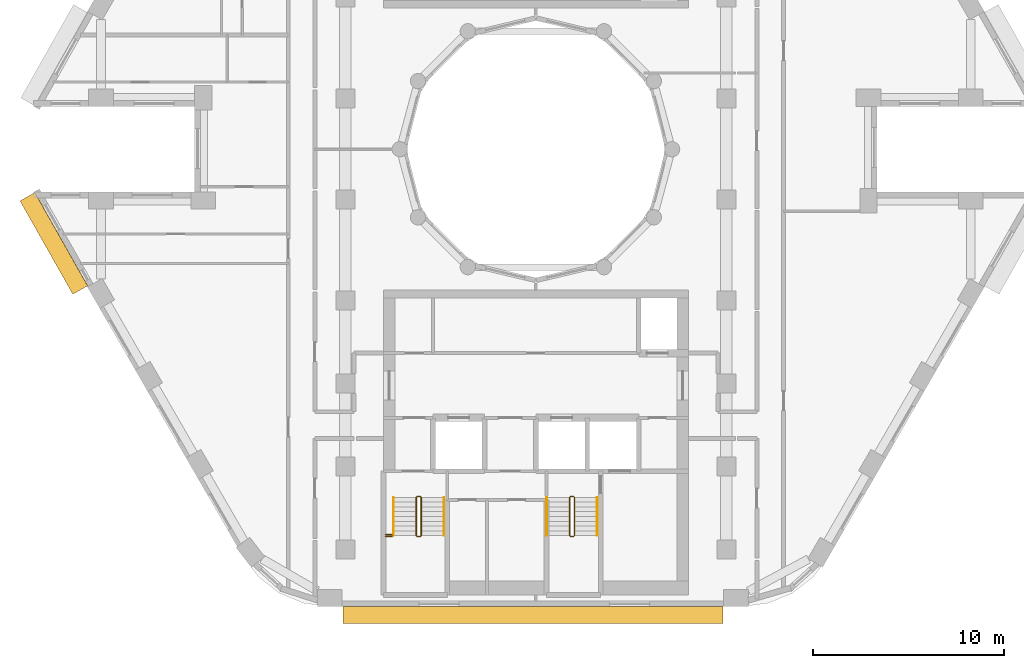
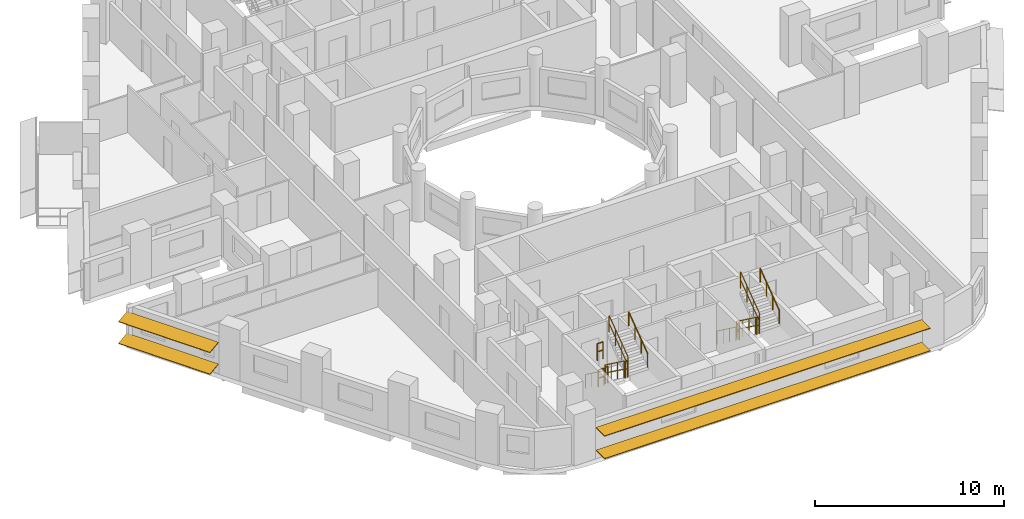
# One storey, part 11 of 13: 14 railings, 4 shading devices.
"""IFC4 building model written with IfcOpenShell, lengths in metres."""

import ifcopenshell
import ifcopenshell.guid

model = None  # the IFC model being written
_history = None  # IfcOwnerHistory: only IFC2X3 demands one
_inside = {}  # id of a spatial element -> (the spatial element, [elements in it])
_under = {}  # id of a project, library or spatial element -> (it, [spatial elements below it])
_declared = {}  # id of a project -> (the project, [libraries it declares])
_typed = {}  # id of a type object -> (the type object, [elements of that type])
_made_of = {}  # id of a material, layer set ... -> (it, [elements and type objects made of it])


def new_model(schema):
    """Start an empty IFC model of exactly this schema.

    Asked for "IFC4X3", IfcOpenShell would pick the latest addendum, in which some entities
    have other attributes; the version numbers below select the first issue.
    IFC2X3 requires an IfcOwnerHistory on every rooted entity: one is made here for all.
    """
    global model, _history
    if schema == "IFC4X3":
        model = ifcopenshell.file(schema_version=(4, 3, 0, 0))
    else:
        model = ifcopenshell.file(schema=schema)
    _inside.clear()
    _under.clear()
    _declared.clear()
    _typed.clear()
    _made_of.clear()
    _history = None
    if model.schema == "IFC2X3":
        org = make("IfcOrganization", Name="unknown")
        user = make(
            "IfcPersonAndOrganization",
            ThePerson=make("IfcPerson", FamilyName="unknown"),
            TheOrganization=org,
        )
        app = make(
            "IfcApplication",
            ApplicationDeveloper=org,
            Version="unknown",
            ApplicationFullName="unknown",
            ApplicationIdentifier="unknown",
        )
        _history = make(
            "IfcOwnerHistory",
            OwningUser=user,
            OwningApplication=app,
            ChangeAction="ADDED",
            CreationDate=0,
        )
    return model


def make(cls, **values):
    """One entity of the class cls with the attributes given. An attribute that is None is left unset."""
    return model.create_entity(
        cls, **{name: value for name, value in values.items() if value is not None}
    )


def rooted(cls, **values):
    """An entity with a GlobalId (a new one), such as an element, a storey or a relation."""
    return make(cls, GlobalId=ifcopenshell.guid.new(), OwnerHistory=_history, **values)


def si_unit(unit_type, name, prefix=None):
    """IfcSIUnit, for example si_unit("LENGTHUNIT", "METRE", prefix="MILLI")."""
    return make("IfcSIUnit", UnitType=unit_type, Prefix=prefix, Name=name)


def assignment(units):
    """IfcUnitAssignment: the units of a project."""
    return None if units is None else make("IfcUnitAssignment", Units=units)


def point(xyz):
    """IfcCartesianPoint."""
    return None if xyz is None else make("IfcCartesianPoint", Coordinates=xyz)


def direction(xyz):
    """IfcDirection."""
    return None if xyz is None else make("IfcDirection", DirectionRatios=xyz)


def frame(location, z_axis=None, x_axis=None):
    """IfcAxis2Placement3D, a coordinate frame: its origin and axes. An axis left out is left unset."""
    return make(
        "IfcAxis2Placement3D",
        Location=point(location),
        Axis=direction(z_axis),
        RefDirection=direction(x_axis),
    )


def frame_2d(location, x_axis=None):
    """IfcAxis2Placement2D, a coordinate frame in the plane: its origin and x axis."""
    return make(
        "IfcAxis2Placement2D", Location=point(location), RefDirection=direction(x_axis)
    )


def origin():
    """The frame at (0, 0, 0) with its axes left unset."""
    return frame((0.0, 0.0, 0.0))


def origin_2d():
    """The frame at (0, 0) in the plane with its x axis left unset."""
    return frame_2d((0.0, 0.0))


def place(relative_to, where):
    """IfcLocalPlacement: puts the frame where relative to a parent placement (None: the world)."""
    return make(
        "IfcLocalPlacement", PlacementRelTo=relative_to, RelativePlacement=where
    )


def context(
    kind, dimensions, precision=None, world=None, true_north=None, identifier=None
):
    """IfcGeometricRepresentationContext, for example the 3D "Model" context."""
    return make(
        "IfcGeometricRepresentationContext",
        ContextIdentifier=identifier,
        ContextType=kind,
        CoordinateSpaceDimension=dimensions,
        Precision=precision,
        WorldCoordinateSystem=world,
        TrueNorth=true_north,
    )


def subcontext(parent, identifier, kind, view, scale=None):
    """IfcGeometricRepresentationSubContext, for example "Body" below "Model"."""
    return make(
        "IfcGeometricRepresentationSubContext",
        ContextIdentifier=identifier,
        ContextType=kind,
        ParentContext=parent,
        TargetScale=scale,
        TargetView=view,
    )


def project(units=None, contexts=None):
    """IfcProject with its units and contexts."""
    return rooted(
        "IfcProject",
        Name="project",
        RepresentationContexts=contexts,
        UnitsInContext=assignment(units),
    )


def spatial(cls, under=None, at=None, **own):
    """A site, building, storey or space (cls), placed at a placement, below another one or the project."""
    s = rooted(cls, ObjectPlacement=at, **own)
    if under is not None:
        _under.setdefault(under.id(), (under, []))[1].append(s)
    return s


def profile(cls, at=None, kind="AREA", **sizes):
    """A parametric profile (cls). Its sizes go by their IFC names, for example OverallWidth=200.0."""
    return make(cls, ProfileType=kind, Position=at, **sizes)


def rectangle(**sizes):
    """IfcRectangleProfileDef."""
    return profile("IfcRectangleProfileDef", **sizes)


def circle(**sizes):
    """IfcCircleProfileDef."""
    return profile("IfcCircleProfileDef", **sizes)


def extrude(swept, where, along, depth):
    """IfcExtrudedAreaSolid: the profile swept, set in the frame where, extruded along a direction by depth."""
    return make(
        "IfcExtrudedAreaSolid",
        SweptArea=swept,
        Position=where,
        ExtrudedDirection=direction(along),
        Depth=depth,
    )


def shape(context_of_items, identifier, shape_type, items):
    """IfcShapeRepresentation: the items that make up one representation, for example the "Body"."""
    return make(
        "IfcShapeRepresentation",
        ContextOfItems=context_of_items,
        RepresentationIdentifier=identifier,
        RepresentationType=shape_type,
        Items=items,
    )


def material(Name=None, Category=None):
    """IfcMaterial."""
    return make("IfcMaterial", Name=Name, Category=Category)


def material_profile(
    of_material, cross_section, Name=None, Category=None, Priority=None
):
    """IfcMaterialProfile: a cross section and its material."""
    return make(
        "IfcMaterialProfile",
        Name=Name,
        Material=of_material,
        Profile=cross_section,
        Priority=Priority,
        Category=Category,
    )


def profile_set(profiles, Name=None, composite=None):
    """IfcMaterialProfileSet."""
    return make(
        "IfcMaterialProfileSet",
        Name=Name,
        MaterialProfiles=profiles,
        CompositeProfile=composite,
    )


def made_of(thing, what):
    """Note that an element or type object is made of a material, layer set ...; save() writes the relation."""
    if what is not None:
        _made_of.setdefault(what.id(), (what, []))[1].append(thing)
    return thing


def type_object(cls, material=None, **own):
    """A type object (cls), such as IfcWallType, which elements share."""
    return made_of(rooted(cls, **own), material)


def element(
    cls,
    number,
    at=None,
    inside=None,
    cuts=None,
    type_object=None,
    material=None,
    context=None,
    identifier="Body",
    shape_type=None,
    held_by="IfcProductDefinitionShape",
    body=None,
    shapes=None,
    **own,
):
    """One element of the class cls, such as IfcWall. Its Tag is "e" and its number.

    at: its placement. inside: the storey or other place that contains it. cuts: it is an
    opening in that element (IfcRelVoidsElement). A single representation is given by context,
    identifier, shape_type and body (its items); several are given by shapes. held_by: the class
    of the entity that holds the representations. save() writes the other relations.
    """
    e = rooted(cls, Tag="e%d" % number, ObjectPlacement=at, **own)
    if body is not None:
        shapes = [shape(context, identifier, shape_type, body)]
    if shapes is not None:
        e.Representation = make(held_by, Representations=shapes)
    if inside is not None:
        _inside.setdefault(inside.id(), (inside, []))[1].append(e)
    if cuts is not None:
        rooted(
            "IfcRelVoidsElement", RelatingBuildingElement=cuts, RelatedOpeningElement=e
        )
    if type_object is not None:
        _typed.setdefault(type_object.id(), (type_object, []))[1].append(e)
    return made_of(e, material)


def aggregate(whole, parts):
    """IfcRelAggregates: a whole, such as a stair, and the parts it consists of."""
    return rooted("IfcRelAggregates", RelatingObject=whole, RelatedObjects=parts)


def save(model, path):
    """Write the relations noted so far, then the file.

    IfcRelAggregates (storeys below a building ...), IfcRelContainedInSpatialStructure (elements
    in a storey), IfcRelDefinesByType, IfcRelAssociatesMaterial and IfcRelDeclares: one each for
    every whole, place, type object, material and project.
    """
    for whole, parts in _under.values():
        aggregate(whole, parts)
    for where, things in _inside.values():
        rooted(
            "IfcRelContainedInSpatialStructure",
            RelatedElements=things,
            RelatingStructure=where,
        )
    for kind, things in _typed.values():
        rooted("IfcRelDefinesByType", RelatedObjects=things, RelatingType=kind)
    for what, things in _made_of.values():
        rooted("IfcRelAssociatesMaterial", RelatedObjects=things, RelatingMaterial=what)
    for by, libraries in _declared.values():
        rooted("IfcRelDeclares", RelatingContext=by, RelatedDefinitions=libraries)
    model.write(path)


model = new_model("IFC4")

# Units and contexts
model_context = context("Model", 3, precision=1e-05, world=origin(), true_north=direction((0.0, 1.0)))
body_context = subcontext(model_context, "Body", "Model", "MODEL_VIEW")
ifc_project = project(units=[si_unit("LENGTHUNIT", "METRE"), si_unit("AREAUNIT", "SQUARE_METRE"), si_unit("VOLUMEUNIT", "CUBIC_METRE"), si_unit("PLANEANGLEUNIT", "RADIAN"), si_unit("MASSUNIT", "GRAM", prefix="KILO")], contexts=[model_context])

# Site, building, storey
site_placement = place(None, origin())
site = spatial("IfcSite", under=ifc_project, at=site_placement, CompositionType="ELEMENT")
building_placement = place(site_placement, origin())
building = spatial("IfcBuilding", under=site, at=building_placement, Name="Nakaniwa Court", CompositionType="ELEMENT")
storey_placement = place(building_placement, frame((0.0, 0.0, 130.5)))
storey = spatial("IfcBuildingStorey", under=building, at=storey_placement, Name="L33", CompositionType="ELEMENT", Elevation=130.5)

# Shading devices
ifc_material_1 = material(Name="Perforated charcoal ceramic louvre blade")
ifc_material_profile = material_profile(ifc_material_1, rectangle(XDim=0.89990234375, YDim=0.050048828125, at=origin_2d()), Name="Perforated ceramic louvre blade")
ifc_profile_set = profile_set([ifc_material_profile], Name="Perforated charcoal ceramic louvre blade")
shading_device_type = type_object("IfcShadingDeviceType", Name="Perforated ceramic louvre blade", PredefinedType="JALOUSIE", material=ifc_profile_set)
for number, where, z_axis, x_axis, name in (
    (1, (53.31689453125, 77.5078125, 0.550048828125), (0.49253187421, -0.870294405869, 0.0), (0.862649339692, 0.488205247786, 0.132256390257), "L33 perforated ceramic louvre blade w20 1"),
    (2, (53.31689453125, 77.5078125, 1.955810546875), (0.49253187421, -0.870294405869, 0.0), (0.862649339692, 0.488205247786, 0.132256390257), "L33 perforated ceramic louvre blade w20 2"),
):
    element("IfcShadingDevice", number, at=place(storey_placement, frame(where, z_axis=z_axis, x_axis=x_axis)), inside=storey, type_object=shading_device_type, Name=name, PredefinedType="JALOUSIE", context=body_context, shape_type="SweptSolid", body=[
        extrude(rectangle(XDim=0.89990234375, YDim=0.050048828125, at=origin_2d()), origin(), (0.0, 0.0, 1.0), 5.62646484375),
    ])
for number, where, z_axis, x_axis, name in (
    (3, (69.871337890625, 55.550048828125, 0.550048828125), (1.0, 0.0, 0.0), (0.0, 1.0, 0.0), "L33 perforated ceramic louvre blade w26 1"),
    (4, (69.871337890625, 55.550048828125, 2.014892578125), (1.0, 0.0, 0.0), (0.0, 1.0, 0.0), "L33 perforated ceramic louvre blade w26 2"),
):
    element("IfcShadingDevice", number, at=place(storey_placement, frame(where, z_axis=z_axis, x_axis=x_axis)), inside=storey, type_object=shading_device_type, Name=name, PredefinedType="JALOUSIE", context=body_context, shape_type="SweptSolid", body=[
        extrude(rectangle(XDim=0.89990234375, YDim=0.050048828125, at=origin_2d()), origin(), (0.0, 0.0, 1.0), 19.939697265625),
    ])

# Railings
ifc_material_2 = material(Name="Black powder coated steel guard", Category="steel")
railing_type_1 = type_object("IfcRailingType", Name="Stair guard 1100", PredefinedType="GUARDRAIL", material=ifc_material_2)
railing_1_placement = place(storey_placement, frame((73.72509765625, 61.72509765625, 0.183349609375)))
element("IfcRailing", 5, at=railing_1_placement, inside=storey, type_object=railing_type_1, Name="L33 ST3 stair guard 1", PredefinedType="GUARDRAIL", context=body_context, shape_type="SweptSolid", body=[
    extrude(circle(Radius=0.02392578125, at=origin_2d()), frame((0.0, 0.0, 1.076171875), z_axis=(0.0, -0.806426902644, 0.591333789573), x_axis=(1.0, 0.0, 0.0)), (0.0, 0.0, 1.0), 2.47998046875),
    extrude(circle(Radius=0.02392578125, at=origin_2d()), frame((0.0, 0.0, 0.550048828125), z_axis=(0.0, -0.806426902644, 0.591333789573), x_axis=(1.0, 0.0, 0.0)), (0.0, 0.0, 1.0), 2.47998046875),
    extrude(circle(Radius=0.02099609375, at=origin_2d()), origin(), (0.0, 0.0, 1.0), 1.052001953125),
    extrude(circle(Radius=0.02099609375, at=origin_2d()), frame((0.0, -0.666748046875, 0.48876953125)), (0.0, 0.0, 1.0), 1.052001953125),
    extrude(circle(Radius=0.02099609375, at=origin_2d()), frame((0.0, -1.333251953125, 0.977783203125)), (0.0, 0.0, 1.0), 1.052001953125),
    extrude(circle(Radius=0.02099609375, at=origin_2d()), frame((0.0, -2.0, 1.466552734375)), (0.0, 0.0, 1.0), 1.052001953125),
])
railing_2_placement = place(storey_placement, frame((73.77490234375, 59.675048828125, 1.64990234375)))
element("IfcRailing", 6, at=railing_2_placement, inside=storey, type_object=railing_type_1, Name="L33 ST3 stair guard 2", PredefinedType="GUARDRAIL", context=body_context, shape_type="SweptSolid", body=[
    extrude(circle(Radius=0.02392578125, at=origin_2d()), frame((0.0, 0.0, 1.076171875), z_axis=(1.0, 0.0, 0.0), x_axis=(0.0, 1.0, 0.0)), (0.0, 0.0, 1.0), 0.150146484375),
    extrude(circle(Radius=0.02392578125, at=origin_2d()), frame((0.0, 0.0, 0.550048828125), z_axis=(1.0, 0.0, 0.0), x_axis=(0.0, 1.0, 0.0)), (0.0, 0.0, 1.0), 0.150146484375),
    extrude(circle(Radius=0.02099609375, at=origin_2d()), origin(), (0.0, 0.0, 1.0), 1.052001953125),
    extrude(circle(Radius=0.02099609375, at=origin_2d()), frame((0.150146484375, 0.0, 0.0)), (0.0, 0.0, 1.0), 1.052001953125),
])
railing_3_placement = place(storey_placement, frame((73.97509765625, 59.72509765625, 1.833251953125)))
element("IfcRailing", 7, at=railing_3_placement, inside=storey, type_object=railing_type_1, Name="L33 ST3 stair guard 3", PredefinedType="GUARDRAIL", context=body_context, shape_type="SweptSolid", body=[
    extrude(circle(Radius=0.02392578125, at=origin_2d()), frame((0.0, 0.0, 1.076171875), z_axis=(0.0, 0.806379959628, 0.591397802423), x_axis=(-1.0, 0.0, 0.0)), (0.0, 0.0, 1.0), 2.480224609375),
    extrude(circle(Radius=0.02392578125, at=origin_2d()), frame((0.0, 0.0, 0.550048828125), z_axis=(0.0, 0.806379959628, 0.591397802423), x_axis=(-1.0, 0.0, 0.0)), (0.0, 0.0, 1.0), 2.480224609375),
    extrude(circle(Radius=0.02099609375, at=origin_2d()), origin(), (0.0, 0.0, 1.0), 1.052001953125),
    extrude(circle(Radius=0.02099609375, at=origin_2d()), frame((0.0, 0.666748046875, 0.489013671875)), (0.0, 0.0, 1.0), 1.052001953125),
    extrude(circle(Radius=0.02099609375, at=origin_2d()), frame((0.0, 1.333251953125, 0.977783203125)), (0.0, 0.0, 1.0), 1.052001953125),
    extrude(circle(Radius=0.02099609375, at=origin_2d()), frame((0.0, 2.0, 1.466796875)), (0.0, 0.0, 1.0), 1.052001953125),
])
railing_4_placement = place(storey_placement, frame((73.77490234375, 61.77490234375, 0.0)))
element("IfcRailing", 8, at=railing_4_placement, inside=storey, type_object=railing_type_1, Name="L33 ST3 stair guard 4", PredefinedType="GUARDRAIL", context=body_context, shape_type="SweptSolid", body=[
    extrude(circle(Radius=0.02392578125, at=origin_2d()), frame((0.0, 0.0, 1.076171875), z_axis=(1.0, 0.0, 0.0), x_axis=(0.0, 1.0, 0.0)), (0.0, 0.0, 1.0), 0.150146484375),
    extrude(circle(Radius=0.02392578125, at=origin_2d()), frame((0.0, 0.0, 0.550048828125), z_axis=(1.0, 0.0, 0.0), x_axis=(0.0, 1.0, 0.0)), (0.0, 0.0, 1.0), 0.150146484375),
    extrude(circle(Radius=0.02099609375, at=origin_2d()), origin(), (0.0, 0.0, 1.0), 1.052001953125),
    extrude(circle(Radius=0.02099609375, at=origin_2d()), frame((0.150146484375, 0.0, 0.0)), (0.0, 0.0, 1.0), 1.052001953125),
])
for number, where, name in (
    (9, (72.125, 59.675048828125, 1.64990234375), "L33 ST3 landing side guard 1W"),
    (10, (72.125, 59.77490234375, 3.300048828125), "L33 ST3 floor edge guard 1W"),
):
    element("IfcRailing", number, at=place(storey_placement, frame(where)), inside=storey, type_object=railing_type_1, Name=name, PredefinedType="GUARDRAIL", context=body_context, shape_type="SweptSolid", body=[
        extrude(circle(Radius=0.02392578125, at=origin_2d()), frame((0.0, 0.0, 1.076171875), z_axis=(1.0, 0.0, 0.0), x_axis=(0.0, 1.0, 0.0)), (0.0, 0.0, 1.0), 0.35009765625),
        extrude(circle(Radius=0.02392578125, at=origin_2d()), frame((0.0, 0.0, 0.550048828125), z_axis=(1.0, 0.0, 0.0), x_axis=(0.0, 1.0, 0.0)), (0.0, 0.0, 1.0), 0.35009765625),
        extrude(circle(Radius=0.02099609375, at=origin_2d()), origin(), (0.0, 0.0, 1.0), 1.052001953125),
        extrude(circle(Radius=0.02099609375, at=origin_2d()), frame((0.35009765625, 0.0, 0.0)), (0.0, 0.0, 1.0), 1.052001953125),
    ])
railing_5_placement = place(storey_placement, frame((81.77490234375, 61.72509765625, 0.183349609375)))
element("IfcRailing", 11, at=railing_5_placement, inside=storey, type_object=railing_type_1, Name="L33 ST4 stair guard 1", PredefinedType="GUARDRAIL", context=body_context, shape_type="SweptSolid", body=[
    extrude(circle(Radius=0.02392578125, at=origin_2d()), frame((0.0, 0.0, 1.076171875), z_axis=(0.0, -0.806426902644, 0.591333789573), x_axis=(1.0, 0.0, 0.0)), (0.0, 0.0, 1.0), 2.47998046875),
    extrude(circle(Radius=0.02392578125, at=origin_2d()), frame((0.0, 0.0, 0.550048828125), z_axis=(0.0, -0.806426902644, 0.591333789573), x_axis=(1.0, 0.0, 0.0)), (0.0, 0.0, 1.0), 2.47998046875),
    extrude(circle(Radius=0.02099609375, at=origin_2d()), origin(), (0.0, 0.0, 1.0), 1.052001953125),
    extrude(circle(Radius=0.02099609375, at=origin_2d()), frame((0.0, -0.666748046875, 0.48876953125)), (0.0, 0.0, 1.0), 1.052001953125),
    extrude(circle(Radius=0.02099609375, at=origin_2d()), frame((0.0, -1.333251953125, 0.977783203125)), (0.0, 0.0, 1.0), 1.052001953125),
    extrude(circle(Radius=0.02099609375, at=origin_2d()), frame((0.0, -2.0, 1.466552734375)), (0.0, 0.0, 1.0), 1.052001953125),
])
railing_6_placement = place(storey_placement, frame((81.824951171875, 59.675048828125, 1.64990234375)))
element("IfcRailing", 12, at=railing_6_placement, inside=storey, type_object=railing_type_1, Name="L33 ST4 stair guard 2", PredefinedType="GUARDRAIL", context=body_context, shape_type="SweptSolid", body=[
    extrude(circle(Radius=0.02392578125, at=origin_2d()), frame((0.0, 0.0, 1.076171875), z_axis=(1.0, 0.0, 0.0), x_axis=(0.0, 1.0, 0.0)), (0.0, 0.0, 1.0), 0.150146484375),
    extrude(circle(Radius=0.02392578125, at=origin_2d()), frame((0.0, 0.0, 0.550048828125), z_axis=(1.0, 0.0, 0.0), x_axis=(0.0, 1.0, 0.0)), (0.0, 0.0, 1.0), 0.150146484375),
    extrude(circle(Radius=0.02099609375, at=origin_2d()), origin(), (0.0, 0.0, 1.0), 1.052001953125),
    extrude(circle(Radius=0.02099609375, at=origin_2d()), frame((0.150146484375, 0.0, 0.0)), (0.0, 0.0, 1.0), 1.052001953125),
])
railing_7_placement = place(storey_placement, frame((82.02490234375, 59.72509765625, 1.833251953125)))
element("IfcRailing", 13, at=railing_7_placement, inside=storey, type_object=railing_type_1, Name="L33 ST4 stair guard 3", PredefinedType="GUARDRAIL", context=body_context, shape_type="SweptSolid", body=[
    extrude(circle(Radius=0.02392578125, at=origin_2d()), frame((0.0, 0.0, 1.076171875), z_axis=(0.0, 0.806379959628, 0.591397802423), x_axis=(-1.0, 0.0, 0.0)), (0.0, 0.0, 1.0), 2.480224609375),
    extrude(circle(Radius=0.02392578125, at=origin_2d()), frame((0.0, 0.0, 0.550048828125), z_axis=(0.0, 0.806379959628, 0.591397802423), x_axis=(-1.0, 0.0, 0.0)), (0.0, 0.0, 1.0), 2.480224609375),
    extrude(circle(Radius=0.02099609375, at=origin_2d()), origin(), (0.0, 0.0, 1.0), 1.052001953125),
    extrude(circle(Radius=0.02099609375, at=origin_2d()), frame((0.0, 0.666748046875, 0.489013671875)), (0.0, 0.0, 1.0), 1.052001953125),
    extrude(circle(Radius=0.02099609375, at=origin_2d()), frame((0.0, 1.333251953125, 0.977783203125)), (0.0, 0.0, 1.0), 1.052001953125),
    extrude(circle(Radius=0.02099609375, at=origin_2d()), frame((0.0, 2.0, 1.466796875)), (0.0, 0.0, 1.0), 1.052001953125),
])
railing_8_placement = place(storey_placement, frame((81.824951171875, 61.77490234375, 0.0)))
element("IfcRailing", 14, at=railing_8_placement, inside=storey, type_object=railing_type_1, Name="L33 ST4 stair guard 4", PredefinedType="GUARDRAIL", context=body_context, shape_type="SweptSolid", body=[
    extrude(circle(Radius=0.02392578125, at=origin_2d()), frame((0.0, 0.0, 1.076171875), z_axis=(1.0, 0.0, 0.0), x_axis=(0.0, 1.0, 0.0)), (0.0, 0.0, 1.0), 0.150146484375),
    extrude(circle(Radius=0.02392578125, at=origin_2d()), frame((0.0, 0.0, 0.550048828125), z_axis=(1.0, 0.0, 0.0), x_axis=(0.0, 1.0, 0.0)), (0.0, 0.0, 1.0), 0.150146484375),
    extrude(circle(Radius=0.02099609375, at=origin_2d()), origin(), (0.0, 0.0, 1.0), 1.052001953125),
    extrude(circle(Radius=0.02099609375, at=origin_2d()), frame((0.150146484375, 0.0, 0.0)), (0.0, 0.0, 1.0), 1.052001953125),
])
ifc_material_3 = material(Name="Black powder coated steel handrail", Category="steel")
railing_type_2 = type_object("IfcRailingType", Name="Stair handrail 900", PredefinedType="HANDRAIL", material=ifc_material_3)
railing_9_placement = place(storey_placement, frame((72.52490234375, 61.72509765625, 0.183349609375)))
element("IfcRailing", 15, at=railing_9_placement, inside=storey, type_object=railing_type_2, Name="L33 ST3 stair handrail 1", PredefinedType="HANDRAIL", context=body_context, shape_type="SweptSolid", body=[
    extrude(circle(Radius=0.02392578125, at=origin_2d()), frame((0.0, 0.0, 0.8759765625), z_axis=(0.0, -0.806426902644, 0.591333789573), x_axis=(1.0, 0.0, 0.0)), (0.0, 0.0, 1.0), 2.47998046875),
    extrude(circle(Radius=0.02099609375, at=origin_2d()), origin(), (0.0, 0.0, 1.0), 0.851806640625),
    extrude(circle(Radius=0.02099609375, at=origin_2d()), frame((0.0, -0.666748046875, 0.48876953125)), (0.0, 0.0, 1.0), 0.851806640625),
    extrude(circle(Radius=0.02099609375, at=origin_2d()), frame((0.0, -1.333251953125, 0.977783203125)), (0.0, 0.0, 1.0), 0.851806640625),
    extrude(circle(Radius=0.02099609375, at=origin_2d()), frame((0.0, -2.0, 1.466552734375)), (0.0, 0.0, 1.0), 0.851806640625),
])
railing_10_placement = place(storey_placement, frame((75.175048828125, 59.72509765625, 1.833251953125)))
element("IfcRailing", 16, at=railing_10_placement, inside=storey, type_object=railing_type_2, Name="L33 ST3 stair handrail 2", PredefinedType="HANDRAIL", context=body_context, shape_type="SweptSolid", body=[
    extrude(circle(Radius=0.02392578125, at=origin_2d()), frame((0.0, 0.0, 0.8759765625), z_axis=(0.0, 0.806379959628, 0.591397802423), x_axis=(-1.0, 0.0, 0.0)), (0.0, 0.0, 1.0), 2.480224609375),
    extrude(circle(Radius=0.02099609375, at=origin_2d()), origin(), (0.0, 0.0, 1.0), 0.851806640625),
    extrude(circle(Radius=0.02099609375, at=origin_2d()), frame((0.0, 0.666748046875, 0.489013671875)), (0.0, 0.0, 1.0), 0.851806640625),
    extrude(circle(Radius=0.02099609375, at=origin_2d()), frame((0.0, 1.333251953125, 0.977783203125)), (0.0, 0.0, 1.0), 0.851806640625),
    extrude(circle(Radius=0.02099609375, at=origin_2d()), frame((0.0, 2.0, 1.466796875)), (0.0, 0.0, 1.0), 0.851806640625),
])
railing_11_placement = place(storey_placement, frame((80.574951171875, 61.72509765625, 0.183349609375)))
element("IfcRailing", 17, at=railing_11_placement, inside=storey, type_object=railing_type_2, Name="L33 ST4 stair handrail 1", PredefinedType="HANDRAIL", context=body_context, shape_type="SweptSolid", body=[
    extrude(circle(Radius=0.02392578125, at=origin_2d()), frame((0.0, 0.0, 0.8759765625), z_axis=(0.0, -0.806426902644, 0.591333789573), x_axis=(1.0, 0.0, 0.0)), (0.0, 0.0, 1.0), 2.47998046875),
    extrude(circle(Radius=0.02099609375, at=origin_2d()), origin(), (0.0, 0.0, 1.0), 0.851806640625),
    extrude(circle(Radius=0.02099609375, at=origin_2d()), frame((0.0, -0.666748046875, 0.48876953125)), (0.0, 0.0, 1.0), 0.851806640625),
    extrude(circle(Radius=0.02099609375, at=origin_2d()), frame((0.0, -1.333251953125, 0.977783203125)), (0.0, 0.0, 1.0), 0.851806640625),
    extrude(circle(Radius=0.02099609375, at=origin_2d()), frame((0.0, -2.0, 1.466552734375)), (0.0, 0.0, 1.0), 0.851806640625),
])
railing_12_placement = place(storey_placement, frame((83.22509765625, 59.72509765625, 1.833251953125)))
element("IfcRailing", 18, at=railing_12_placement, inside=storey, type_object=railing_type_2, Name="L33 ST4 stair handrail 2", PredefinedType="HANDRAIL", context=body_context, shape_type="SweptSolid", body=[
    extrude(circle(Radius=0.02392578125, at=origin_2d()), frame((0.0, 0.0, 0.8759765625), z_axis=(0.0, 0.806379959628, 0.591397802423), x_axis=(-1.0, 0.0, 0.0)), (0.0, 0.0, 1.0), 2.480224609375),
    extrude(circle(Radius=0.02099609375, at=origin_2d()), origin(), (0.0, 0.0, 1.0), 0.851806640625),
    extrude(circle(Radius=0.02099609375, at=origin_2d()), frame((0.0, 0.666748046875, 0.489013671875)), (0.0, 0.0, 1.0), 0.851806640625),
    extrude(circle(Radius=0.02099609375, at=origin_2d()), frame((0.0, 1.333251953125, 0.977783203125)), (0.0, 0.0, 1.0), 0.851806640625),
    extrude(circle(Radius=0.02099609375, at=origin_2d()), frame((0.0, 2.0, 1.466796875)), (0.0, 0.0, 1.0), 0.851806640625),
])

save(model, "model.ifc")
